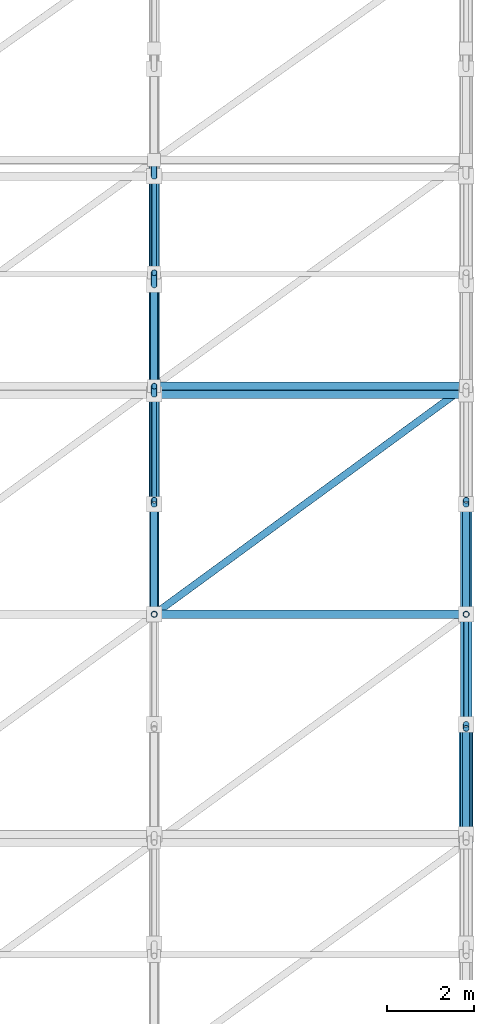
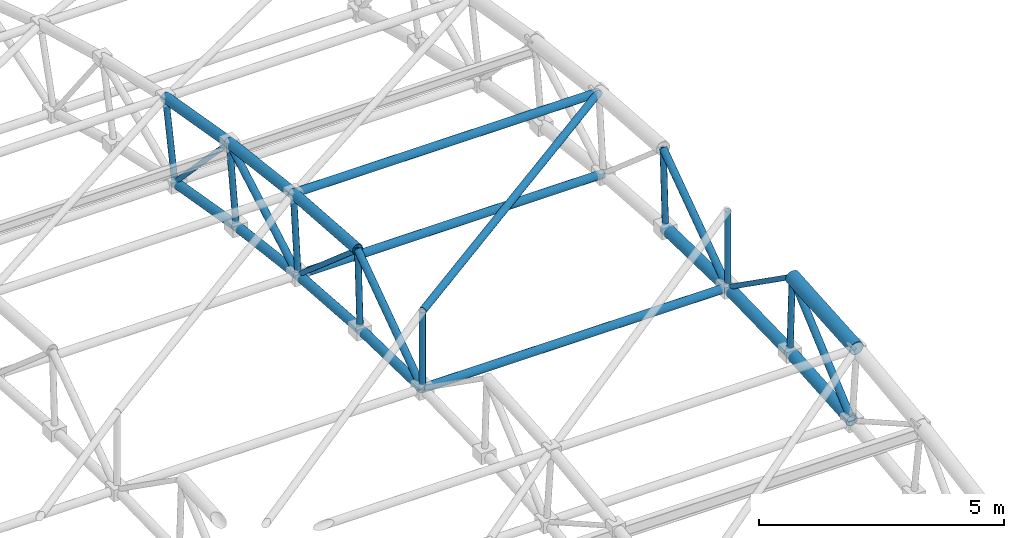
# One storey, part 21 of 41: 30 members.
"""IFC4 building model written with IfcOpenShell, lengths in metres."""

from ifc_helpers import new_model, si_unit, direction, frame, origin, origin_2d, place, context, subcontext, project, spatial, hollow_circle, extrude, material, material_profile, profile_set, type_object, element, save


model = new_model("IFC4")

# Units and contexts
model_context = context("Model", 3, precision=1e-05, world=origin(), true_north=direction((0.0, 1.0)))
body_context = subcontext(model_context, "Body", "Model", "MODEL_VIEW")
ifc_project = project(units=[si_unit("LENGTHUNIT", "METRE"), si_unit("AREAUNIT", "SQUARE_METRE"), si_unit("VOLUMEUNIT", "CUBIC_METRE"), si_unit("PLANEANGLEUNIT", "RADIAN"), si_unit("MASSUNIT", "GRAM", prefix="KILO")], contexts=[model_context])

# Site, building, storey
site_placement = place(None, origin())
site = spatial("IfcSite", under=ifc_project, at=site_placement, CompositionType="ELEMENT")
building_placement = place(site_placement, origin())
building = spatial("IfcBuilding", under=site, at=building_placement, Name="Malvenik Polytechnic", CompositionType="ELEMENT")
storey_placement = place(building_placement, frame((0.0, 0.0, 17.699951171875)))
storey = spatial("IfcBuildingStorey", under=building, at=storey_placement, Name="L04", CompositionType="ELEMENT", Elevation=17.699951171875)

# Members
ifc_material = material(Name="Steel S355J2H", Category="steel")
ifc_material_profile_1 = material_profile(ifc_material, hollow_circle(Radius=0.136474609375, WallThickness=0.010009765625, at=origin_2d()), Name="CHS 273.0x10.0")
ifc_profile_set_1 = profile_set([ifc_material_profile_1], Name="Steel S355J2H")
member_type_1 = type_object("IfcMemberType", Name="STR-MEM-SFB-01", PredefinedType="CHORD", material=ifc_profile_set_1)
for number, where, z_axis, x_axis, name in (
    (1, (184.800048828125, 59.72509765625, 2.155517578125), (0.0, 0.997310938626, 0.073286367738), (-1.0, 0.0, 0.0), "Space-Frame Tube SFB-01 STR-SF-BC-0700"),
    (2, (184.800048828125, 62.261474609375, 2.341796875), (0.0, 0.999700798264, 0.024460456869), (-1.0, 0.0, 0.0), "Space-Frame Tube SFB-01 STR-SF-BC-0702"),
):
    element("IfcMember", number, at=place(storey_placement, frame(where, z_axis=z_axis, x_axis=x_axis)), inside=storey, type_object=member_type_1, Name=name, PredefinedType="CHORD", context=body_context, shape_type="SweptSolid", body=[
        extrude(hollow_circle(Radius=0.136474609375, WallThickness=0.010009765625, at=origin_2d()), origin(), (0.0, 0.0, 1.0), 2.53515625),
    ])
member_1_placement = place(storey_placement, frame((184.800048828125, 64.803955078125, 2.40380859375), z_axis=(0.0, 0.999700855874, -0.024458102234), x_axis=(-1.0, 0.0, 0.0)))
element("IfcMember", 3, at=member_1_placement, inside=storey, type_object=member_type_1, Name="Space-Frame Tube SFB-01 STR-SF-BC-0704", PredefinedType="CHORD", context=body_context, shape_type="SweptSolid", body=[
    extrude(hollow_circle(Radius=0.136474609375, WallThickness=0.010009765625, at=origin_2d()), origin(), (0.0, 0.0, 1.0), 2.535400390625),
])
ifc_material_profile_2 = material_profile(ifc_material, hollow_circle(Radius=0.109619140625, WallThickness=0.008056640625, at=origin_2d()), Name="CHS 219.1x8.0")
ifc_profile_set_2 = profile_set([ifc_material_profile_2], Name="Steel S355J2H")
member_type_2 = type_object("IfcMemberType", Name="STR-MEM-SFB-03", PredefinedType="CHORD", material=ifc_profile_set_2)
member_2_placement = place(storey_placement, frame((177.60009765625, 64.803955078125, 2.40380859375), z_axis=(0.0, 0.999700855874, -0.024458102234), x_axis=(-1.0, 0.0, 0.0)))
element("IfcMember", 4, at=member_2_placement, inside=storey, type_object=member_type_2, Name="Space-Frame Tube SFB-03 STR-SF-BC-0607", PredefinedType="CHORD", context=body_context, shape_type="SweptSolid", body=[
    extrude(hollow_circle(Radius=0.109619140625, WallThickness=0.008056640625, at=origin_2d()), origin(), (0.0, 0.0, 1.0), 2.535400390625),
])
member_3_placement = place(storey_placement, frame((177.60009765625, 67.3466796875, 2.34130859375), z_axis=(0.0, 0.997310938626, -0.073286367738), x_axis=(-1.0, 0.0, 0.0)))
element("IfcMember", 5, at=member_3_placement, inside=storey, type_object=member_type_2, Name="Space-Frame Tube SFB-03 STR-SF-BC-0609", PredefinedType="CHORD", context=body_context, shape_type="SweptSolid", body=[
    extrude(hollow_circle(Radius=0.109619140625, WallThickness=0.008056640625, at=origin_2d()), origin(), (0.0, 0.0, 1.0), 2.53515625),
])
for number, where, z_axis, x_axis, name in (
    (6, (177.60009765625, 69.883056640625, 2.15478515625), (0.0, 0.992529141181, -0.122007802646), (-1.0, 0.0, 0.0), "Space-Frame Tube SFB-03 STR-SF-BC-0611"),
    (7, (177.60009765625, 72.4072265625, 1.84423828125), (0.0, 0.985384405638, -0.170345452318), (-1.0, 0.0, 0.0), "Space-Frame Tube SFB-03 STR-SF-BC-0613"),
):
    element("IfcMember", number, at=place(storey_placement, frame(where, z_axis=z_axis, x_axis=x_axis)), inside=storey, type_object=member_type_2, Name=name, PredefinedType="CHORD", context=body_context, shape_type="SweptSolid", body=[
        extrude(hollow_circle(Radius=0.109619140625, WallThickness=0.008056640625, at=origin_2d()), origin(), (0.0, 0.0, 1.0), 2.535400390625),
    ])
ifc_material_profile_3 = material_profile(ifc_material, hollow_circle(Radius=0.084228515625, WallThickness=0.00634765625, at=origin_2d()), Name="CHS 168.3x6.3")
ifc_profile_set_3 = profile_set([ifc_material_profile_3], Name="Steel S355J2H")
member_type_3 = type_object("IfcMemberType", Name="STR-MEM-SFD-02", PredefinedType="BRACE", material=ifc_profile_set_3)
for number, where, z_axis, x_axis, name in (
    (8, (177.60009765625, 64.80322265625, 2.40625), (0.0, 0.817091860907, 0.576507494175), (-1.0, 0.0, 0.0), "Space-Frame Tube SFD-02 STR-SF-AD-0668"),
    (9, (177.60009765625, 69.882568359375, 2.1572265625), (0.0, 0.869477287163, 0.493972921432), (-1.0, 0.0, 0.0), "Space-Frame Tube SFD-02 STR-SF-AD-0670"),
    (10, (184.800048828125, 59.72412109375, 2.157958984375), (0.0, 0.756869052153, 0.653566552), (-1.0, 0.0, 0.0), "Space-Frame Tube SFD-02 STR-SF-AD-0763"),
    (11, (184.800048828125, 64.80322265625, 2.40625), (0.0, 0.817091860907, 0.576507494175), (-1.0, 0.0, 0.0), "Space-Frame Tube SFD-02 STR-SF-AD-0765"),
):
    element("IfcMember", number, at=place(storey_placement, frame(where, z_axis=z_axis, x_axis=x_axis)), inside=storey, type_object=member_type_3, Name=name, PredefinedType="BRACE", context=body_context, shape_type="SweptSolid", body=[
        extrude(hollow_circle(Radius=0.084228515625, WallThickness=0.00634765625, at=origin_2d()), origin(), (0.0, 0.0, 1.0), 3.218994140625),
    ])
member_4_placement = place(storey_placement, frame((177.603271484375, 64.802490234375, 4.328857421875), z_axis=(0.806768013469, 0.590160453498, -0.028913864661), x_axis=(-0.590407298766, 0.807105458762, 0.0)))
element("IfcMember", 12, at=member_4_placement, inside=storey, type_object=member_type_3, Name="Space-Frame Tube SFD-02 STR-SF-SD-1061", PredefinedType="BRACE", context=body_context, shape_type="SweptSolid", body=[
    extrude(hollow_circle(Radius=0.084228515625, WallThickness=0.00634765625, at=origin_2d()), origin(), (0.0, 0.0, 1.0), 8.91650390625),
])
ifc_material_profile_4 = material_profile(ifc_material, hollow_circle(Radius=0.06982421875, WallThickness=0.00634765625, at=origin_2d()), Name="CHS 139.7x6.3")
ifc_profile_set_4 = profile_set([ifc_material_profile_4], Name="Steel S355J2H")
member_type_4 = type_object("IfcMemberType", Name="STR-MEM-SFD-03", PredefinedType="BRACE", material=ifc_profile_set_4)
member_5_placement = place(storey_placement, frame((177.60009765625, 64.800048828125, 2.407958984375), z_axis=(0.0, 0.0, 1.0), x_axis=(1.0, 0.0, 0.0)))
element("IfcMember", 13, at=member_5_placement, inside=storey, type_object=member_type_4, Name="Space-Frame Tube SFD-03 STR-SF-WB-0643", PredefinedType="BRACE", context=body_context, shape_type="SweptSolid", body=[
    extrude(hollow_circle(Radius=0.06982421875, WallThickness=0.00634765625, at=origin_2d()), origin(), (0.0, 0.0, 1.0), 1.9169921875),
])
member_6_placement = place(storey_placement, frame((177.60009765625, 67.3427734375, 2.345703125), z_axis=(0.0, 0.048908499501, 0.998803263249), x_axis=(-1.0, 0.0, 0.0)))
element("IfcMember", 14, at=member_6_placement, inside=storey, type_object=member_type_4, Name="Space-Frame Tube SFD-03 STR-SF-WB-0644", PredefinedType="BRACE", context=body_context, shape_type="SweptSolid", body=[
    extrude(hollow_circle(Radius=0.06982421875, WallThickness=0.00634765625, at=origin_2d()), origin(), (0.0, 0.0, 1.0), 1.916748046875),
])
member_7_placement = place(storey_placement, frame((177.60009765625, 69.87939453125, 2.1591796875), z_axis=(0.0, 0.09767529924, 0.995218335803), x_axis=(-1.0, 0.0, 0.0)))
element("IfcMember", 15, at=member_7_placement, inside=storey, type_object=member_type_4, Name="Space-Frame Tube SFD-03 STR-SF-WB-0645", PredefinedType="BRACE", context=body_context, shape_type="SweptSolid", body=[
    extrude(hollow_circle(Radius=0.06982421875, WallThickness=0.00634765625, at=origin_2d()), origin(), (0.0, 0.0, 1.0), 1.917236328125),
])
member_8_placement = place(storey_placement, frame((177.60009765625, 72.40380859375, 1.848876953125), z_axis=(0.0, 0.146197883622, 0.989255365831), x_axis=(-1.0, 0.0, 0.0)))
element("IfcMember", 16, at=member_8_placement, inside=storey, type_object=member_type_4, Name="Space-Frame Tube SFD-03 STR-SF-WB-0646", PredefinedType="BRACE", context=body_context, shape_type="SweptSolid", body=[
    extrude(hollow_circle(Radius=0.06982421875, WallThickness=0.00634765625, at=origin_2d()), origin(), (0.0, 0.0, 1.0), 1.9169921875),
])
member_9_placement = place(storey_placement, frame((177.60009765625, 74.910400390625, 1.41552734375), z_axis=(0.0, 0.194328084871, 0.980936590933), x_axis=(-1.0, 0.0, 0.0)))
element("IfcMember", 17, at=member_9_placement, inside=storey, type_object=member_type_4, Name="Space-Frame Tube SFD-03 STR-SF-WB-0647", PredefinedType="BRACE", context=body_context, shape_type="SweptSolid", body=[
    extrude(hollow_circle(Radius=0.06982421875, WallThickness=0.00634765625, at=origin_2d()), origin(), (0.0, 0.0, 1.0), 1.917236328125),
])
member_10_placement = place(storey_placement, frame((184.800048828125, 62.257080078125, 2.345703125), z_axis=(0.0, -0.048781437095, 0.998809477025), x_axis=(1.0, 0.0, 0.0)))
element("IfcMember", 18, at=member_10_placement, inside=storey, type_object=member_type_4, Name="Space-Frame Tube SFD-03 STR-SF-WB-0739", PredefinedType="BRACE", context=body_context, shape_type="SweptSolid", body=[
    extrude(hollow_circle(Radius=0.06982421875, WallThickness=0.00634765625, at=origin_2d()), origin(), (0.0, 0.0, 1.0), 1.916748046875),
])
member_11_placement = place(storey_placement, frame((184.800048828125, 64.800048828125, 2.407958984375), z_axis=(0.0, 0.0, 1.0), x_axis=(1.0, 0.0, 0.0)))
element("IfcMember", 19, at=member_11_placement, inside=storey, type_object=member_type_4, Name="Space-Frame Tube SFD-03 STR-SF-WB-0740", PredefinedType="BRACE", context=body_context, shape_type="SweptSolid", body=[
    extrude(hollow_circle(Radius=0.06982421875, WallThickness=0.00634765625, at=origin_2d()), origin(), (0.0, 0.0, 1.0), 1.9169921875),
])
member_12_placement = place(storey_placement, frame((184.800048828125, 67.3427734375, 2.345703125), z_axis=(0.0, 0.048908499501, 0.998803263249), x_axis=(-1.0, 0.0, 0.0)))
element("IfcMember", 20, at=member_12_placement, inside=storey, type_object=member_type_4, Name="Space-Frame Tube SFD-03 STR-SF-WB-0741", PredefinedType="BRACE", context=body_context, shape_type="SweptSolid", body=[
    extrude(hollow_circle(Radius=0.06982421875, WallThickness=0.00634765625, at=origin_2d()), origin(), (0.0, 0.0, 1.0), 1.916748046875),
])
ifc_material_profile_5 = material_profile(ifc_material, hollow_circle(Radius=0.05712890625, WallThickness=0.0048828125, at=origin_2d()), Name="CHS 114.3x5.0")
ifc_profile_set_5 = profile_set([ifc_material_profile_5], Name="Steel S355J2H")
member_type_5 = type_object("IfcMemberType", Name="STR-MEM-SFD-04", PredefinedType="BRACE", material=ifc_profile_set_5)
for number, where, z_axis, x_axis, name in (
    (21, (177.60009765625, 67.439697265625, 4.26171875), (0.0, 0.756869052153, -0.653566552), (-1.0, 0.0, 0.0), "Space-Frame Tube SFD-04 STR-SF-AD-0669"),
    (22, (177.60009765625, 72.6875, 3.746337890625), (0.0, 0.689408937301, -0.724372360854), (-1.0, 0.0, 0.0), "Space-Frame Tube SFD-04 STR-SF-AD-0671"),
    (23, (184.800048828125, 62.16650390625, 4.261962890625), (0.0, 0.817091860907, -0.576507494175), (-1.0, 0.0, 0.0), "Space-Frame Tube SFD-04 STR-SF-AD-0764"),
):
    element("IfcMember", number, at=place(storey_placement, frame(where, z_axis=z_axis, x_axis=x_axis)), inside=storey, type_object=member_type_5, Name=name, PredefinedType="BRACE", context=body_context, shape_type="SweptSolid", body=[
        extrude(hollow_circle(Radius=0.05712890625, WallThickness=0.0048828125, at=origin_2d()), origin(), (0.0, 0.0, 1.0), 3.218994140625),
    ])
ifc_material_profile_6 = material_profile(ifc_material, hollow_circle(Radius=0.096923828125, WallThickness=0.008056640625, at=origin_2d()), Name="CHS 193.7x8.0")
ifc_profile_set_6 = profile_set([ifc_material_profile_6], Name="Steel S355J2H")
member_type_6 = type_object("IfcMemberType", Name="STR-MEM-SFL-01", PredefinedType="CHORD", material=ifc_profile_set_6)
for number, where, z_axis, x_axis, name in (
    (24, (177.60400390625, 64.800048828125, 2.40380859375), (1.0, 0.0, 0.0), (0.0, 1.0, 0.0), "Space-Frame Tube SFL-01 STR-SF-LB-1041"),
    (25, (177.60400390625, 69.87890625, 2.1552734375), (1.0, 0.0, 0.0), (0.0, 1.0, 0.0), "Space-Frame Tube SFL-01 STR-SF-LB-1043"),
    (26, (177.60400390625, 70.06689453125, 4.071044921875), (1.0, 0.0, 0.0), (0.0, 1.0, 0.0), "Space-Frame Tube SFL-01 STR-SF-LT-1044"),
):
    element("IfcMember", number, at=place(storey_placement, frame(where, z_axis=z_axis, x_axis=x_axis)), inside=storey, type_object=member_type_6, Name=name, PredefinedType="CHORD", context=body_context, shape_type="SweptSolid", body=[
        extrude(hollow_circle(Radius=0.096923828125, WallThickness=0.008056640625, at=origin_2d()), origin(), (0.0, 0.0, 1.0), 7.19189453125),
    ])
ifc_material_profile_7 = material_profile(ifc_material, hollow_circle(Radius=0.122314453125, WallThickness=0.010009765625, at=origin_2d()), Name="CHS 244.5x10.0")
ifc_profile_set_7 = profile_set([ifc_material_profile_7], Name="Steel S355J2H")
member_type_7 = type_object("IfcMemberType", Name="STR-MEM-SFT-03", PredefinedType="CHORD", material=ifc_profile_set_7)
for number, where, z_axis, x_axis, name in (
    (27, (177.60009765625, 67.440673828125, 4.26416015625), (0.0, 0.997306127173, -0.073351814586), (-1.0, 0.0, 0.0), "Space-Frame Tube SFT-03 STR-SF-TC-0610"),
    (28, (177.60009765625, 70.071044921875, 4.070556640625), (0.0, 0.99253004874, -0.122000419462), (-1.0, 0.0, 0.0), "Space-Frame Tube SFT-03 STR-SF-TC-0612"),
    (29, (177.60009765625, 72.688720703125, 3.74853515625), (0.0, 0.985379595625, -0.170373274095), (-1.0, 0.0, 0.0), "Space-Frame Tube SFT-03 STR-SF-TC-0614"),
):
    element("IfcMember", number, at=place(storey_placement, frame(where, z_axis=z_axis, x_axis=x_axis)), inside=storey, type_object=member_type_7, Name=name, PredefinedType="CHORD", context=body_context, shape_type="SweptSolid", body=[
        extrude(hollow_circle(Radius=0.122314453125, WallThickness=0.010009765625, at=origin_2d()), origin(), (0.0, 0.0, 1.0), 2.62939453125),
    ])
ifc_material_profile_8 = material_profile(ifc_material, hollow_circle(Radius=0.161865234375, WallThickness=0.012451171875, at=origin_2d()), Name="CHS 323.9x12.5")
ifc_profile_set_8 = profile_set([ifc_material_profile_8], Name="Steel S355J2H")
member_type_8 = type_object("IfcMemberType", Name="STR-MEM-SFT-04", PredefinedType="CHORD", material=ifc_profile_set_8)
member_13_placement = place(storey_placement, frame((184.800048828125, 59.537109375, 4.0712890625), z_axis=(0.0, 0.997305627523, 0.073358607611), x_axis=(-1.0, 0.0, 0.0)))
element("IfcMember", 30, at=member_13_placement, inside=storey, type_object=member_type_8, Name="Space-Frame Tube SFT-04 STR-SF-TC-0701", PredefinedType="CHORD", context=body_context, shape_type="SweptSolid", body=[
    extrude(hollow_circle(Radius=0.161865234375, WallThickness=0.012451171875, at=origin_2d()), origin(), (0.0, 0.0, 1.0), 2.629150390625),
])

save(model, "model.ifc")
